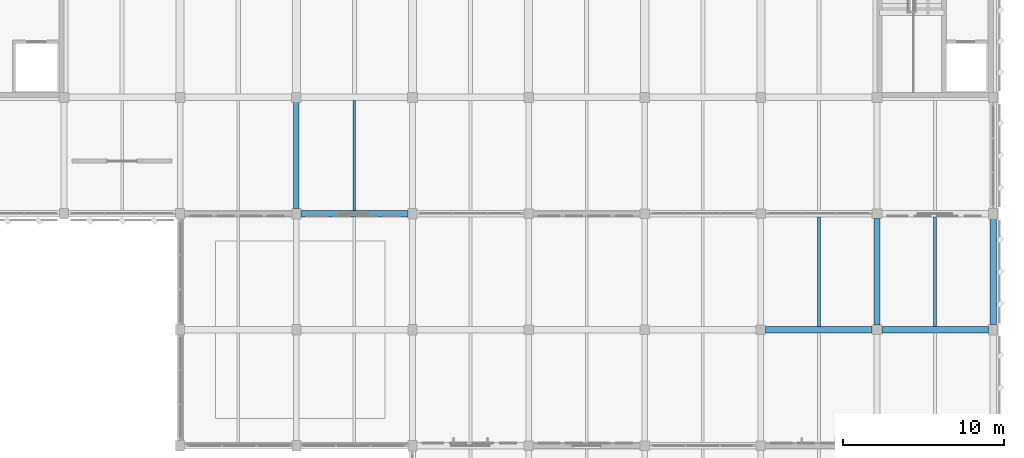
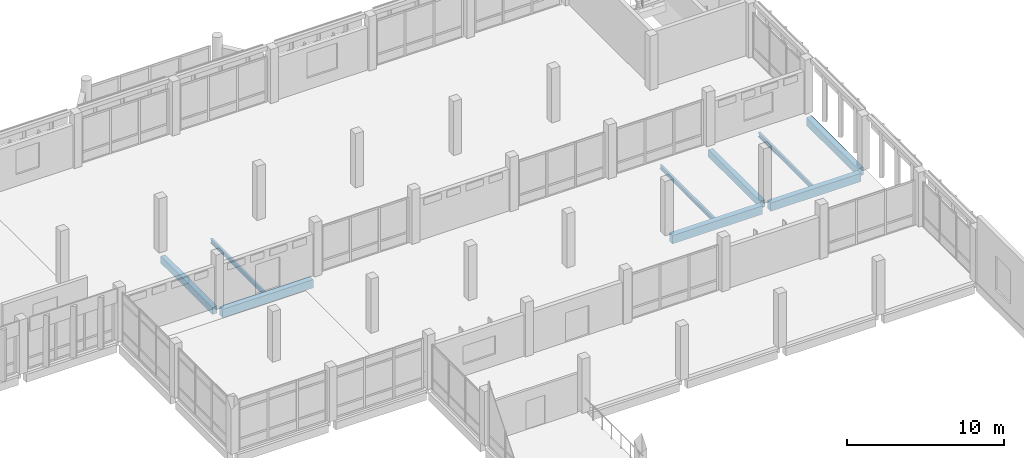
# One storey, part 107 of 158: 9 beams.
"""IFC4 building model written with IfcOpenShell, lengths in metres."""

import ifcopenshell
import ifcopenshell.guid

model = None  # the IFC model being written
_history = None  # IfcOwnerHistory: only IFC2X3 demands one
_inside = {}  # id of a spatial element -> (the spatial element, [elements in it])
_under = {}  # id of a project, library or spatial element -> (it, [spatial elements below it])
_declared = {}  # id of a project -> (the project, [libraries it declares])
_typed = {}  # id of a type object -> (the type object, [elements of that type])
_made_of = {}  # id of a material, layer set ... -> (it, [elements and type objects made of it])


def new_model(schema):
    """Start an empty IFC model of exactly this schema.

    Asked for "IFC4X3", IfcOpenShell would pick the latest addendum, in which some entities
    have other attributes; the version numbers below select the first issue.
    IFC2X3 requires an IfcOwnerHistory on every rooted entity: one is made here for all.
    """
    global model, _history
    if schema == "IFC4X3":
        model = ifcopenshell.file(schema_version=(4, 3, 0, 0))
    else:
        model = ifcopenshell.file(schema=schema)
    _inside.clear()
    _under.clear()
    _declared.clear()
    _typed.clear()
    _made_of.clear()
    _history = None
    if model.schema == "IFC2X3":
        org = make("IfcOrganization", Name="unknown")
        user = make(
            "IfcPersonAndOrganization",
            ThePerson=make("IfcPerson", FamilyName="unknown"),
            TheOrganization=org,
        )
        app = make(
            "IfcApplication",
            ApplicationDeveloper=org,
            Version="unknown",
            ApplicationFullName="unknown",
            ApplicationIdentifier="unknown",
        )
        _history = make(
            "IfcOwnerHistory",
            OwningUser=user,
            OwningApplication=app,
            ChangeAction="ADDED",
            CreationDate=0,
        )
    return model


def make(cls, **values):
    """One entity of the class cls with the attributes given. An attribute that is None is left unset."""
    return model.create_entity(
        cls, **{name: value for name, value in values.items() if value is not None}
    )


def rooted(cls, **values):
    """An entity with a GlobalId (a new one), such as an element, a storey or a relation."""
    return make(cls, GlobalId=ifcopenshell.guid.new(), OwnerHistory=_history, **values)


def si_unit(unit_type, name, prefix=None):
    """IfcSIUnit, for example si_unit("LENGTHUNIT", "METRE", prefix="MILLI")."""
    return make("IfcSIUnit", UnitType=unit_type, Prefix=prefix, Name=name)


def assignment(units):
    """IfcUnitAssignment: the units of a project."""
    return None if units is None else make("IfcUnitAssignment", Units=units)


def point(xyz):
    """IfcCartesianPoint."""
    return None if xyz is None else make("IfcCartesianPoint", Coordinates=xyz)


def direction(xyz):
    """IfcDirection."""
    return None if xyz is None else make("IfcDirection", DirectionRatios=xyz)


def frame(location, z_axis=None, x_axis=None):
    """IfcAxis2Placement3D, a coordinate frame: its origin and axes. An axis left out is left unset."""
    return make(
        "IfcAxis2Placement3D",
        Location=point(location),
        Axis=direction(z_axis),
        RefDirection=direction(x_axis),
    )


def frame_2d(location, x_axis=None):
    """IfcAxis2Placement2D, a coordinate frame in the plane: its origin and x axis."""
    return make(
        "IfcAxis2Placement2D", Location=point(location), RefDirection=direction(x_axis)
    )


def origin():
    """The frame at (0, 0, 0) with its axes left unset."""
    return frame((0.0, 0.0, 0.0))


def origin_2d():
    """The frame at (0, 0) in the plane with its x axis left unset."""
    return frame_2d((0.0, 0.0))


def place(relative_to, where):
    """IfcLocalPlacement: puts the frame where relative to a parent placement (None: the world)."""
    return make(
        "IfcLocalPlacement", PlacementRelTo=relative_to, RelativePlacement=where
    )


def context(
    kind, dimensions, precision=None, world=None, true_north=None, identifier=None
):
    """IfcGeometricRepresentationContext, for example the 3D "Model" context."""
    return make(
        "IfcGeometricRepresentationContext",
        ContextIdentifier=identifier,
        ContextType=kind,
        CoordinateSpaceDimension=dimensions,
        Precision=precision,
        WorldCoordinateSystem=world,
        TrueNorth=true_north,
    )


def subcontext(parent, identifier, kind, view, scale=None):
    """IfcGeometricRepresentationSubContext, for example "Body" below "Model"."""
    return make(
        "IfcGeometricRepresentationSubContext",
        ContextIdentifier=identifier,
        ContextType=kind,
        ParentContext=parent,
        TargetScale=scale,
        TargetView=view,
    )


def project(units=None, contexts=None):
    """IfcProject with its units and contexts."""
    return rooted(
        "IfcProject",
        Name="project",
        RepresentationContexts=contexts,
        UnitsInContext=assignment(units),
    )


def spatial(cls, under=None, at=None, **own):
    """A site, building, storey or space (cls), placed at a placement, below another one or the project."""
    s = rooted(cls, ObjectPlacement=at, **own)
    if under is not None:
        _under.setdefault(under.id(), (under, []))[1].append(s)
    return s


def profile(cls, at=None, kind="AREA", **sizes):
    """A parametric profile (cls). Its sizes go by their IFC names, for example OverallWidth=200.0."""
    return make(cls, ProfileType=kind, Position=at, **sizes)


def rectangle(**sizes):
    """IfcRectangleProfileDef."""
    return profile("IfcRectangleProfileDef", **sizes)


def i_section(**sizes):
    """IfcIShapeProfileDef."""
    return profile("IfcIShapeProfileDef", **sizes)


def extrude(swept, where, along, depth):
    """IfcExtrudedAreaSolid: the profile swept, set in the frame where, extruded along a direction by depth."""
    return make(
        "IfcExtrudedAreaSolid",
        SweptArea=swept,
        Position=where,
        ExtrudedDirection=direction(along),
        Depth=depth,
    )


def shape(context_of_items, identifier, shape_type, items):
    """IfcShapeRepresentation: the items that make up one representation, for example the "Body"."""
    return make(
        "IfcShapeRepresentation",
        ContextOfItems=context_of_items,
        RepresentationIdentifier=identifier,
        RepresentationType=shape_type,
        Items=items,
    )


def material(Name=None, Category=None):
    """IfcMaterial."""
    return make("IfcMaterial", Name=Name, Category=Category)


def material_profile(
    of_material, cross_section, Name=None, Category=None, Priority=None
):
    """IfcMaterialProfile: a cross section and its material."""
    return make(
        "IfcMaterialProfile",
        Name=Name,
        Material=of_material,
        Profile=cross_section,
        Priority=Priority,
        Category=Category,
    )


def profile_set(profiles, Name=None, composite=None):
    """IfcMaterialProfileSet."""
    return make(
        "IfcMaterialProfileSet",
        Name=Name,
        MaterialProfiles=profiles,
        CompositeProfile=composite,
    )


def made_of(thing, what):
    """Note that an element or type object is made of a material, layer set ...; save() writes the relation."""
    if what is not None:
        _made_of.setdefault(what.id(), (what, []))[1].append(thing)
    return thing


def type_object(cls, material=None, **own):
    """A type object (cls), such as IfcWallType, which elements share."""
    return made_of(rooted(cls, **own), material)


def element(
    cls,
    number,
    at=None,
    inside=None,
    cuts=None,
    type_object=None,
    material=None,
    context=None,
    identifier="Body",
    shape_type=None,
    held_by="IfcProductDefinitionShape",
    body=None,
    shapes=None,
    **own,
):
    """One element of the class cls, such as IfcWall. Its Tag is "e" and its number.

    at: its placement. inside: the storey or other place that contains it. cuts: it is an
    opening in that element (IfcRelVoidsElement). A single representation is given by context,
    identifier, shape_type and body (its items); several are given by shapes. held_by: the class
    of the entity that holds the representations. save() writes the other relations.
    """
    e = rooted(cls, Tag="e%d" % number, ObjectPlacement=at, **own)
    if body is not None:
        shapes = [shape(context, identifier, shape_type, body)]
    if shapes is not None:
        e.Representation = make(held_by, Representations=shapes)
    if inside is not None:
        _inside.setdefault(inside.id(), (inside, []))[1].append(e)
    if cuts is not None:
        rooted(
            "IfcRelVoidsElement", RelatingBuildingElement=cuts, RelatedOpeningElement=e
        )
    if type_object is not None:
        _typed.setdefault(type_object.id(), (type_object, []))[1].append(e)
    return made_of(e, material)


def aggregate(whole, parts):
    """IfcRelAggregates: a whole, such as a stair, and the parts it consists of."""
    return rooted("IfcRelAggregates", RelatingObject=whole, RelatedObjects=parts)


def save(model, path):
    """Write the relations noted so far, then the file.

    IfcRelAggregates (storeys below a building ...), IfcRelContainedInSpatialStructure (elements
    in a storey), IfcRelDefinesByType, IfcRelAssociatesMaterial and IfcRelDeclares: one each for
    every whole, place, type object, material and project.
    """
    for whole, parts in _under.values():
        aggregate(whole, parts)
    for where, things in _inside.values():
        rooted(
            "IfcRelContainedInSpatialStructure",
            RelatedElements=things,
            RelatingStructure=where,
        )
    for kind, things in _typed.values():
        rooted("IfcRelDefinesByType", RelatedObjects=things, RelatingType=kind)
    for what, things in _made_of.values():
        rooted("IfcRelAssociatesMaterial", RelatedObjects=things, RelatingMaterial=what)
    for by, libraries in _declared.values():
        rooted("IfcRelDeclares", RelatingContext=by, RelatedDefinitions=libraries)
    model.write(path)


model = new_model("IFC4")

# Units and contexts
model_context = context("Model", 3, precision=1e-05, world=origin(), true_north=direction((0.0, 1.0)))
body_context = subcontext(model_context, "Body", "Model", "MODEL_VIEW")
ifc_project = project(units=[si_unit("LENGTHUNIT", "METRE"), si_unit("AREAUNIT", "SQUARE_METRE"), si_unit("VOLUMEUNIT", "CUBIC_METRE"), si_unit("PLANEANGLEUNIT", "RADIAN"), si_unit("MASSUNIT", "GRAM", prefix="KILO")], contexts=[model_context])

# Site, building, storey
site_placement = place(None, origin())
site = spatial("IfcSite", under=ifc_project, at=site_placement, CompositionType="ELEMENT")
building_placement = place(site_placement, origin())
building = spatial("IfcBuilding", under=site, at=building_placement, Name="Lusvemor Sports Hall", CompositionType="ELEMENT")
storey_placement = place(building_placement, frame((0.0, 0.0, 10.800048828125)))
storey = spatial("IfcBuildingStorey", under=building, at=storey_placement, Name="L02", CompositionType="ELEMENT", Elevation=10.800048828125)

# Beams
ifc_material_1 = material(Name="Concrete C40/50", Category="concrete")
ifc_material_profile_1 = material_profile(ifc_material_1, rectangle(XDim=0.35009765625, YDim=0.550048828125, at=origin_2d()), Name="RC350x550")
ifc_profile_set_1 = profile_set([ifc_material_profile_1], Name="Concrete C40/50")
beam_type_1 = type_object("IfcBeamType", Name="BEAM_RC_550", PredefinedType="BEAM", material=ifc_profile_set_1)
beam_1_placement = place(storey_placement, frame((126.0, 97.51611328125, -0.53515625), z_axis=(0.0, 1.0, 0.0), x_axis=(-1.0, 0.0, 0.0)))
element("IfcBeam", 1, at=beam_1_placement, inside=storey, type_object=beam_type_1, Name="Beam L02 14:N-P", PredefinedType="BEAM", context=body_context, shape_type="SweptSolid", body=[
    extrude(rectangle(XDim=0.35009765625, YDim=0.550048828125, at=origin_2d()), origin(), (0.0, 0.0, 1.0), 6.587890625),
])
beam_2_placement = place(storey_placement, frame((162.0, 90.2958984375, -0.53515625), z_axis=(0.0, 1.0, 0.0), x_axis=(-1.0, 0.0, 0.0)))
element("IfcBeam", 2, at=beam_2_placement, inside=storey, type_object=beam_type_1, Name="Beam L02 19:M-N", PredefinedType="BEAM", context=body_context, shape_type="SweptSolid", body=[
    extrude(rectangle(XDim=0.35009765625, YDim=0.550048828125, at=origin_2d()), origin(), (0.0, 0.0, 1.0), 6.608154296875),
])
ifc_material_2 = material(Name="Concrete C40/50", Category="concrete")
ifc_material_profile_2 = material_profile(ifc_material_2, rectangle(XDim=0.39990234375, YDim=0.64990234375, at=origin_2d()), Name="RC400x650")
ifc_profile_set_2 = profile_set([ifc_material_profile_2], Name="Concrete C40/50")
beam_type_2 = type_object("IfcBeamType", Name="BEAM_RC_650", PredefinedType="BEAM", material=ifc_profile_set_2)
beam_3_placement = place(storey_placement, frame((155.095947265625, 90.0, -0.5849609375), z_axis=(1.0, 0.0, 0.0), x_axis=(0.0, 1.0, 0.0)))
element("IfcBeam", 3, at=beam_3_placement, inside=storey, type_object=beam_type_2, Name="Beam L02 M:18-19", PredefinedType="BEAM", context=body_context, shape_type="SweptSolid", body=[
    extrude(rectangle(XDim=0.39990234375, YDim=0.64990234375, at=origin_2d()), origin(), (0.0, 0.0, 1.0), 6.608154296875),
])
beam_4_placement = place(storey_placement, frame((162.2958984375, 90.0, -0.5849609375), z_axis=(1.0, 0.0, 0.0), x_axis=(0.0, 1.0, 0.0)))
element("IfcBeam", 4, at=beam_4_placement, inside=storey, type_object=beam_type_2, Name="Beam L02 M:19-20", PredefinedType="BEAM", context=body_context, shape_type="SweptSolid", body=[
    extrude(rectangle(XDim=0.39990234375, YDim=0.64990234375, at=origin_2d()), origin(), (0.0, 0.0, 1.0), 6.628173828125),
])
beam_5_placement = place(storey_placement, frame((126.27587890625, 97.199951171875, -0.5849609375), z_axis=(1.0, 0.0, 0.0), x_axis=(0.0, 1.0, 0.0)))
element("IfcBeam", 5, at=beam_5_placement, inside=storey, type_object=beam_type_2, Name="Beam L02 N:14-15", PredefinedType="BEAM", context=body_context, shape_type="SweptSolid", body=[
    extrude(rectangle(XDim=0.39990234375, YDim=0.64990234375, at=origin_2d()), origin(), (0.0, 0.0, 1.0), 6.648193359375),
])
ifc_material_3 = material(Name="Steel S355", Category="steel")
ifc_material_profile_3 = material_profile(ifc_material_3, i_section(OverallWidth=0.1669921875, OverallDepth=0.31689453125, WebThickness=0.007568359375, FlangeThickness=0.01318359375, FilletRadius=0.014892578125, at=origin_2d()), Name="W310x52.0")
ifc_profile_set_3 = profile_set([ifc_material_profile_3], Name="Steel S355")
beam_type_3 = type_object("IfcBeamType", Name="JOIST_ST_310M", PredefinedType="JOIST", material=ifc_profile_set_3)
beam_6_placement = place(storey_placement, frame((129.60009765625, 97.39599609375, -0.422607421875), z_axis=(0.0, 1.0, 0.0), x_axis=(-1.0, 0.0, 0.0)))
element("IfcBeam", 6, at=beam_6_placement, inside=storey, type_object=beam_type_3, Name="Secondary Joist L02 14-15/N-P #1", PredefinedType="JOIST", context=body_context, shape_type="SweptSolid", body=[
    extrude(i_section(OverallWidth=0.1669921875, OverallDepth=0.31689453125, WebThickness=0.007568359375, FlangeThickness=0.01318359375, FilletRadius=0.014892578125, at=origin_2d()), origin(), (0.0, 0.0, 1.0), 6.80810546875),
])
for number, where, z_axis, x_axis, name in (
    (7, (158.39990234375, 90.196044921875, -0.422607421875), (0.0, 1.0, 0.0), (-1.0, 0.0, 0.0), "Secondary Joist L02 18-19/M-N #1"),
    (8, (165.60009765625, 90.196044921875, -0.422607421875), (0.0, 1.0, 0.0), (-1.0, 0.0, 0.0), "Secondary Joist L02 19-20/M-N #1"),
):
    element("IfcBeam", number, at=place(storey_placement, frame(where, z_axis=z_axis, x_axis=x_axis)), inside=storey, type_object=beam_type_3, Name=name, PredefinedType="JOIST", context=body_context, shape_type="SweptSolid", body=[
        extrude(i_section(OverallWidth=0.1669921875, OverallDepth=0.31689453125, WebThickness=0.007568359375, FlangeThickness=0.01318359375, FilletRadius=0.014892578125, at=origin_2d()), origin(), (0.0, 0.0, 1.0), 6.807861328125),
    ])
ifc_material_4 = material(Name="Concrete C40/50", Category="concrete")
ifc_material_profile_4 = material_profile(ifc_material_4, rectangle(XDim=0.39990234375, YDim=0.610107421875, at=origin_2d()), Name="RC400x610")
ifc_profile_set_4 = profile_set([ifc_material_profile_4], Name="Concrete C40/50")
beam_type_4 = type_object("IfcBeamType", Name="SPAND_EXT_650", PredefinedType="SPANDREL", material=ifc_profile_set_4)
beam_7_placement = place(storey_placement, frame((169.199951171875, 90.31591796875, -0.56494140625), z_axis=(0.0, 1.0, 0.0), x_axis=(-1.0, 0.0, 0.0)))
element("IfcBeam", 9, at=beam_7_placement, inside=storey, type_object=beam_type_4, Name="Beam L02 20:M-N", PredefinedType="SPANDREL", context=body_context, shape_type="SweptSolid", body=[
    extrude(rectangle(XDim=0.39990234375, YDim=0.610107421875, at=origin_2d()), origin(), (0.0, 0.0, 1.0), 6.568115234375),
])

save(model, "model.ifc")
